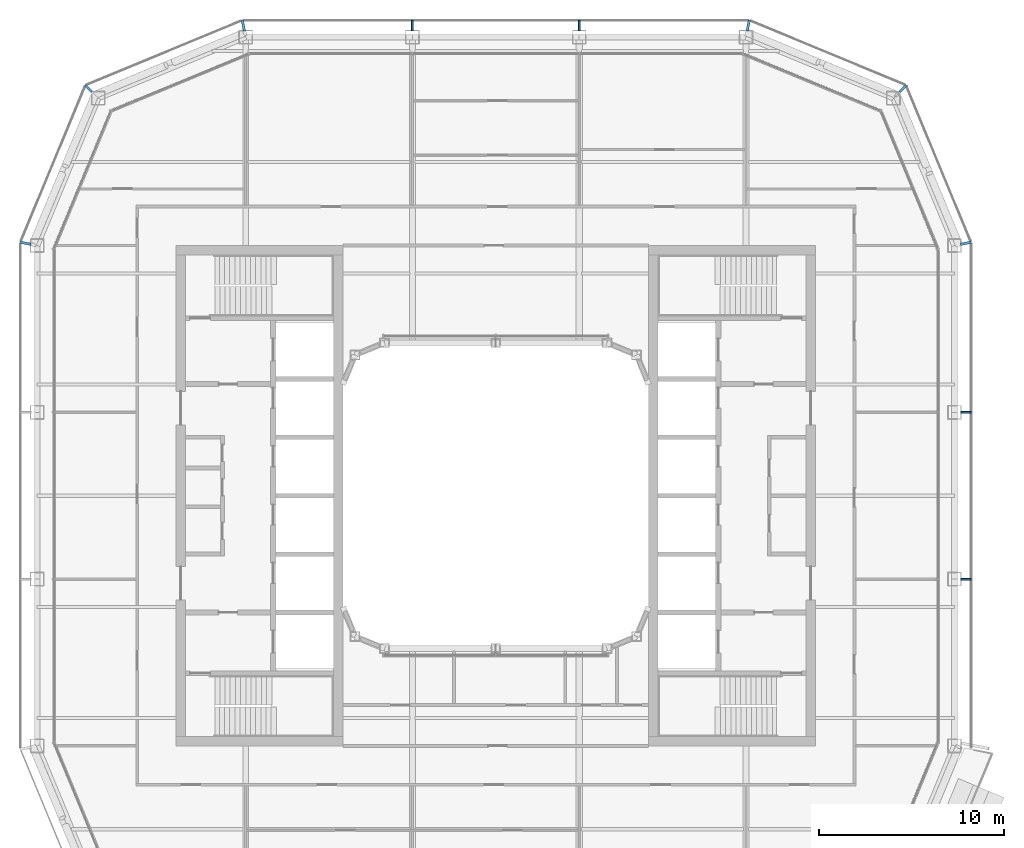
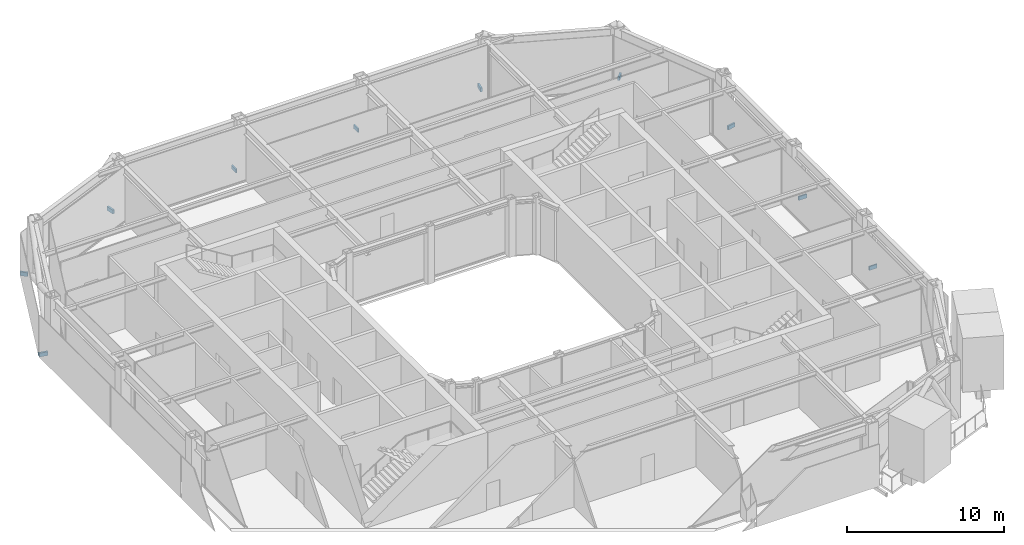
# One storey, part 16 of 21: 10 discrete accessories.
"""IFC4 building model written with IfcOpenShell, lengths in metres."""

from ifc_helpers import new_model, si_unit, direction, frame, origin, origin_2d, place, context, subcontext, project, spatial, rectangle, extrude, material, type_object, element, save


model = new_model("IFC4")

# Units and contexts
model_context = context("Model", 3, precision=1e-05, world=origin(), true_north=direction((0.0, 1.0)))
body_context = subcontext(model_context, "Body", "Model", "MODEL_VIEW")
ifc_project = project(units=[si_unit("LENGTHUNIT", "METRE"), si_unit("AREAUNIT", "SQUARE_METRE"), si_unit("VOLUMEUNIT", "CUBIC_METRE"), si_unit("PLANEANGLEUNIT", "RADIAN"), si_unit("MASSUNIT", "GRAM", prefix="KILO")], contexts=[model_context])

# Site, building, storey
site_placement = place(None, origin())
site = spatial("IfcSite", under=ifc_project, at=site_placement, CompositionType="ELEMENT")
building_placement = place(site_placement, origin())
building = spatial("IfcBuilding", under=site, at=building_placement, Name="Siwar Civic Tower", CompositionType="ELEMENT")
storey_placement = place(building_placement, frame((0.0, 0.0, 303.199951171875)))
storey = spatial("IfcBuildingStorey", under=building, at=storey_placement, Name="L65", CompositionType="ELEMENT", Elevation=303.199951171875)

# Discrete accessories
ifc_material = material(Name="Stainless steel 316", Category="steel")
discrete_accessory_type = type_object("IfcDiscreteAccessoryType", Name="ENV-BRACKET", PredefinedType="BRACKET", material=ifc_material)
for number, where, z_axis, x_axis, name in (
    (1, (25.364990234375, -4.5, -0.14990234375), (0.0, 0.0, 1.0), (1.0, 0.0, 0.0), "Bracket outer skin joint E-01"),
    (2, (25.364990234375, 4.5, -0.14990234375), (0.0, 0.0, 1.0), (1.0, 0.0, 0.0), "Bracket outer skin joint E-02"),
    (3, (4.5, 25.364990234375, -0.14990234375), (0.0, 0.0, 1.0), (0.0, 1.0, 0.0), "Bracket outer skin joint N-01"),
    (4, (-4.5, 25.364990234375, -0.14990234375), (0.0, 0.0, 1.0), (0.0, 1.0, 0.0), "Bracket outer skin joint N-02"),
):
    element("IfcDiscreteAccessory", number, at=place(storey_placement, frame(where, z_axis=z_axis, x_axis=x_axis)), inside=storey, type_object=discrete_accessory_type, Name=name, PredefinedType="BRACKET", context=body_context, shape_type="SweptSolid", body=[
        extrude(rectangle(XDim=0.570068359375, YDim=0.10009765625, at=origin_2d()), origin(), (0.0, 0.0, 1.0), 0.300048828125),
    ])
discrete_accessory_1_placement = place(storey_placement, frame((25.365234375, 13.622314453125, -0.14990234375), z_axis=(0.0, 0.0, 1.0), x_axis=(0.980785280403, 0.195090322016, 0.0)))
element("IfcDiscreteAccessory", 5, at=discrete_accessory_1_placement, inside=storey, type_object=discrete_accessory_type, Name="Bracket outer skin joint V04", PredefinedType="BRACKET", context=body_context, shape_type="SweptSolid", body=[
    extrude(rectangle(XDim=0.580810546875, YDim=0.13720703125, at=origin_2d()), origin(), (0.0, 0.0, 1.0), 0.300048828125),
])
discrete_accessory_2_placement = place(storey_placement, frame((21.96728515625, 21.96728515625, -0.14990234375), z_axis=(0.0, 0.0, 1.0), x_axis=(0.707106781187, 0.707106781187, 0.0)))
element("IfcDiscreteAccessory", 6, at=discrete_accessory_2_placement, inside=storey, type_object=discrete_accessory_type, Name="Bracket outer skin joint V05", PredefinedType="BRACKET", context=body_context, shape_type="SweptSolid", body=[
    extrude(rectangle(XDim=0.499267578125, YDim=0.12939453125, at=origin_2d()), origin(), (0.0, 0.0, 1.0), 0.300048828125),
])
for number, where, z_axis, x_axis, name in (
    (7, (13.622314453125, 25.365234375, -0.14990234375), (0.0, 0.0, 1.0), (0.195090322016, 0.980785280403, 0.0), "Bracket outer skin joint V06"),
    (8, (-13.622314453125, 25.365234375, -0.14990234375), (0.0, 0.0, 1.0), (-0.195090322016, 0.980785280403, 0.0), "Bracket outer skin joint V07"),
):
    element("IfcDiscreteAccessory", number, at=place(storey_placement, frame(where, z_axis=z_axis, x_axis=x_axis)), inside=storey, type_object=discrete_accessory_type, Name=name, PredefinedType="BRACKET", context=body_context, shape_type="SweptSolid", body=[
        extrude(rectangle(XDim=0.580810546875, YDim=0.13720703125, at=origin_2d()), origin(), (0.0, 0.0, 1.0), 0.300048828125),
    ])
discrete_accessory_3_placement = place(storey_placement, frame((-21.96728515625, 21.96728515625, -0.14990234375), z_axis=(0.0, 0.0, 1.0), x_axis=(-0.707106781187, 0.707106781187, 0.0)))
element("IfcDiscreteAccessory", 9, at=discrete_accessory_3_placement, inside=storey, type_object=discrete_accessory_type, Name="Bracket outer skin joint V08", PredefinedType="BRACKET", context=body_context, shape_type="SweptSolid", body=[
    extrude(rectangle(XDim=0.499267578125, YDim=0.12939453125, at=origin_2d()), origin(), (0.0, 0.0, 1.0), 0.300048828125),
])
discrete_accessory_4_placement = place(storey_placement, frame((-25.365234375, 13.622314453125, -0.14990234375), z_axis=(0.0, 0.0, 1.0), x_axis=(-0.980785280403, 0.195090322016, 0.0)))
element("IfcDiscreteAccessory", 10, at=discrete_accessory_4_placement, inside=storey, type_object=discrete_accessory_type, Name="Bracket outer skin joint V09", PredefinedType="BRACKET", context=body_context, shape_type="SweptSolid", body=[
    extrude(rectangle(XDim=0.580810546875, YDim=0.13720703125, at=origin_2d()), origin(), (0.0, 0.0, 1.0), 0.300048828125),
])

save(model, "model.ifc")
